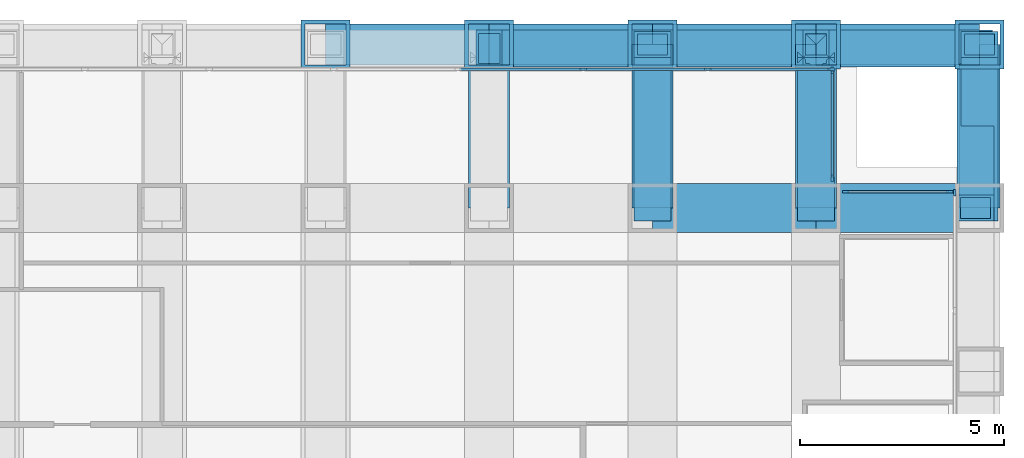
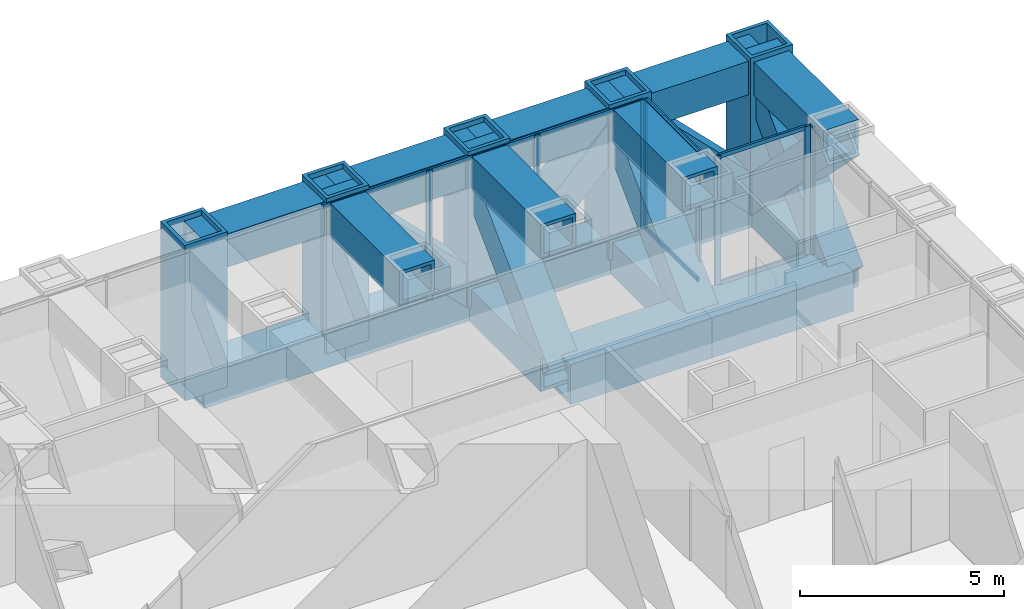
# One storey, part 10 of 18: 30 members, 17 beams, 4 elements without a shape of their own.
"""IFC4 building model written with IfcOpenShell, lengths in metres."""

from ifc_helpers import new_model, si_unit, direction, frame, origin, origin_2d, place, context, subcontext, project, spatial, rectangle, hollow_rectangle, extrude, material, material_profile, profile_set, type_object, element, aggregate, save


model = new_model("IFC4")

# Units and contexts
model_context = context("Model", 3, precision=1e-05, world=origin(), true_north=direction((0.0, 1.0)))
body_context = subcontext(model_context, "Body", "Model", "MODEL_VIEW")
ifc_project = project(units=[si_unit("LENGTHUNIT", "METRE"), si_unit("AREAUNIT", "SQUARE_METRE"), si_unit("VOLUMEUNIT", "CUBIC_METRE"), si_unit("PLANEANGLEUNIT", "RADIAN"), si_unit("MASSUNIT", "GRAM", prefix="KILO")], contexts=[model_context])

# Site, building, storey
site_placement = place(None, origin())
site = spatial("IfcSite", under=ifc_project, at=site_placement, CompositionType="ELEMENT")
building_placement = place(site_placement, origin())
building = spatial("IfcBuilding", under=site, at=building_placement, Name="Rimbunsela Tower", CompositionType="ELEMENT")
storey_placement = place(building_placement, frame((0.0, 0.0, 43.0)))
storey = spatial("IfcBuildingStorey", under=building, at=storey_placement, Name="L10", CompositionType="ELEMENT", Elevation=43.0)

# Beams
ifc_material_1 = material(Name="Steel BJ 55 (fy 410 MPa)", Category="steel")
ifc_material_profile_1 = material_profile(ifc_material_1, hollow_rectangle(XDim=1.199951171875, YDim=1.199951171875, WallThickness=0.125, at=origin_2d()), Name="BOX 1200x1200x125")
ifc_profile_set_1 = profile_set([ifc_material_profile_1], Name="Steel BJ 55 (fy 410 MPa)")
beam_type_1 = type_object("IfcBeamType", Name="Beam BOX 1200x1200x125", PredefinedType="BEAM", material=ifc_profile_set_1)
for number, where, z_axis, x_axis, name in (
    (1, (46.0, 44.0, -0.75), (1.0, 0.0, 0.0), (0.0, 1.0, 0.0), "Beam B4 L10"),
    (2, (50.0, 44.0, -0.75), (1.0, 0.0, 0.0), (0.0, 1.0, 0.0), "Beam B4 L10"),
):
    element("IfcBeam", number, at=place(storey_placement, frame(where, z_axis=z_axis, x_axis=x_axis)), inside=storey, type_object=beam_type_1, Name=name, PredefinedType="BEAM", context=body_context, shape_type="SweptSolid", body=[
        extrude(hollow_rectangle(XDim=1.199951171875, YDim=1.199951171875, WallThickness=0.125, at=origin_2d()), origin(), (0.0, 0.0, 1.0), 4.0),
    ])

# Curtain wall, member
ifc_material_2 = material(Name="Aluminium curtain wall", Category="aluminium")
curtain_wall_type_1 = type_object("IfcCurtainWallType", Name="Exoskeleton storey infill", PredefinedType="USERDEFINED", material=ifc_material_2)
curtain_wall_1_placement = place(storey_placement, origin())
curtain_wall_1 = element("IfcCurtainWall", 3, at=curtain_wall_1_placement, inside=storey, type_object=curtain_wall_type_1, Name="Exoskeleton storey infill L10", ObjectType="EXOSKELETON STOREY INFILL", PredefinedType="USERDEFINED")
ifc_material_3 = material(Name="Aluminium mullion", Category="aluminium")
ifc_material_profile_2 = material_profile(ifc_material_3, rectangle(XDim=0.06005859375, YDim=0.159912109375, at=origin_2d()), Name="Mullion 60x160")
ifc_profile_set_2 = profile_set([ifc_material_profile_2], Name="Aluminium mullion")
member_type_1 = type_object("IfcMemberType", Name="Curtain wall mullion 60x160", PredefinedType="MULLION", material=ifc_profile_set_2)
member_1_placement = place(storey_placement, frame((53.39990234375, 44.3701171875, 0.0), z_axis=(0.0, 0.0, 1.0), x_axis=(-1.0, 0.0, 0.0)))
member_1 = element("IfcMember", 4, at=member_1_placement, type_object=member_type_1, Name="CW2 mullion 15", PredefinedType="MULLION", context=body_context, shape_type="SweptSolid", body=[
    extrude(rectangle(XDim=0.06005859375, YDim=0.159912109375, at=origin_2d()), origin(), (0.0, 0.0, 1.0), 3.85009765625),
])
aggregate(curtain_wall_1, [member_1])

# Curtain wall, members
ifc_material_4 = material(Name="Aluminium curtain wall", Category="aluminium")
curtain_wall_type_2 = type_object("IfcCurtainWallType", Name="Corner glazing", PredefinedType="USERDEFINED", material=ifc_material_4)
curtain_wall_2_placement = place(storey_placement, origin())
curtain_wall_2 = element("IfcCurtainWall", 5, at=curtain_wall_2_placement, inside=storey, type_object=curtain_wall_type_2, Name="Corner glazing L10", ObjectType="CORNER GLAZING", PredefinedType="USERDEFINED")
member_2_placement = place(storey_placement, frame((53.27001953125, 44.39990234375, 0.0), z_axis=(0.0, 0.0, 1.0), x_axis=(0.0, -1.0, 0.0)))
member_2 = element("IfcMember", 6, at=member_2_placement, type_object=member_type_1, Name="CW5 mullion 1", PredefinedType="MULLION", context=body_context, shape_type="SweptSolid", body=[
    extrude(rectangle(XDim=0.06005859375, YDim=0.159912109375, at=origin_2d()), origin(), (0.0, 0.0, 1.0), 3.85009765625),
])
member_3_placement = place(storey_placement, frame((50.72998046875, 44.39990234375, 0.0), z_axis=(0.0, 0.0, 1.0), x_axis=(0.0, -1.0, 0.0)))
member_3 = element("IfcMember", 7, at=member_3_placement, type_object=member_type_1, Name="CW5 mullion 2", PredefinedType="MULLION", context=body_context, shape_type="SweptSolid", body=[
    extrude(rectangle(XDim=0.06005859375, YDim=0.159912109375, at=origin_2d()), origin(), (0.0, 0.0, 1.0), 3.85009765625),
])

ifc_material_5 = material(Name="Aluminium curtain wall", Category="aluminium")
curtain_wall_type_3 = type_object("IfcCurtainWallType", Name="Spandrel wall", PredefinedType="USERDEFINED", material=ifc_material_5)
curtain_wall_3_placement = place(storey_placement, origin())
curtain_wall_3 = element("IfcCurtainWall", 8, at=curtain_wall_3_placement, inside=storey, type_object=curtain_wall_type_3, Name="Spandrel wall L10", ObjectType="SPANDREL WALL", PredefinedType="USERDEFINED")
member_4_placement = place(storey_placement, frame((50.39990234375, 44.72998046875, 0.0), z_axis=(0.0, 0.0, 1.0), x_axis=(-1.0, 0.0, 0.0)))
member_4 = element("IfcMember", 9, at=member_4_placement, type_object=member_type_1, Name="CW7 mullion 1", PredefinedType="MULLION", context=body_context, shape_type="SweptSolid", body=[
    extrude(rectangle(XDim=0.06005859375, YDim=0.159912109375, at=origin_2d()), origin(), (0.0, 0.0, 1.0), 3.85009765625),
])
member_5_placement = place(storey_placement, frame((50.39990234375, 47.3701171875, 0.0), z_axis=(0.0, 0.0, 1.0), x_axis=(-1.0, 0.0, 0.0)))
member_5 = element("IfcMember", 10, at=member_5_placement, type_object=member_type_1, Name="CW7 mullion 2", PredefinedType="MULLION", context=body_context, shape_type="SweptSolid", body=[
    extrude(rectangle(XDim=0.06005859375, YDim=0.159912109375, at=origin_2d()), origin(), (0.0, 0.0, 1.0), 3.85009765625),
])

curtain_wall_4_placement = place(storey_placement, origin())
curtain_wall_4 = element("IfcCurtainWall", 11, at=curtain_wall_4_placement, inside=storey, type_object=curtain_wall_type_1, Name="Exoskeleton storey infill L10", ObjectType="EXOSKELETON STOREY INFILL", PredefinedType="USERDEFINED")
member_6_placement = place(storey_placement, frame((50.3701171875, 47.39990234375, 0.0), z_axis=(0.0, 0.0, 1.0), x_axis=(0.0, -1.0, 0.0)))
member_6 = element("IfcMember", 12, at=member_6_placement, type_object=member_type_1, Name="CW2 mullion 1", PredefinedType="MULLION", context=body_context, shape_type="SweptSolid", body=[
    extrude(rectangle(XDim=0.06005859375, YDim=0.159912109375, at=origin_2d()), origin(), (0.0, 0.0, 1.0), 3.85009765625),
])
member_7_placement = place(storey_placement, frame((47.35009765625, 47.39990234375, 0.0), z_axis=(0.0, 0.0, 1.0), x_axis=(0.0, -1.0, 0.0)))
member_7 = element("IfcMember", 13, at=member_7_placement, type_object=member_type_1, Name="CW2 mullion 2", PredefinedType="MULLION", context=body_context, shape_type="SweptSolid", body=[
    extrude(rectangle(XDim=0.06005859375, YDim=0.159912109375, at=origin_2d()), origin(), (0.0, 0.0, 1.0), 3.85009765625),
])
member_8_placement = place(storey_placement, frame((44.300048828125, 47.39990234375, 0.0), z_axis=(0.0, 0.0, 1.0), x_axis=(0.0, -1.0, 0.0)))
member_8 = element("IfcMember", 14, at=member_8_placement, type_object=member_type_1, Name="CW2 mullion 3", PredefinedType="MULLION", context=body_context, shape_type="SweptSolid", body=[
    extrude(rectangle(XDim=0.06005859375, YDim=0.159912109375, at=origin_2d()), origin(), (0.0, 0.0, 1.0), 3.85009765625),
])

# Member
ifc_material_6 = material(Name="Aluminium transom", Category="aluminium")
ifc_material_profile_3 = material_profile(ifc_material_6, rectangle(XDim=0.06005859375, YDim=0.1201171875, at=origin_2d()), Name="Transom 60x120")
ifc_profile_set_3 = profile_set([ifc_material_profile_3], Name="Aluminium transom")
member_type_2 = type_object("IfcMemberType", Name="Curtain wall transom 60x120", PredefinedType="USERDEFINED", material=ifc_profile_set_3)
member_9_placement = place(storey_placement, frame((53.239990234375, 44.39990234375, 0.030029296875), z_axis=(-1.0, 0.0, 0.0), x_axis=(0.0, -1.0, 0.0)))
member_9 = element("IfcMember", 15, at=member_9_placement, type_object=member_type_2, Name="CW5 transom 1.1", ObjectType="TRANSOM", PredefinedType="USERDEFINED", context=body_context, shape_type="SweptSolid", body=[
    extrude(rectangle(XDim=0.06005859375, YDim=0.1201171875, at=origin_2d()), origin(), (0.0, 0.0, 1.0), 2.47998046875),
])

member_10_placement = place(storey_placement, frame((53.239990234375, 44.39990234375, 3.820068359375), z_axis=(-1.0, 0.0, 0.0), x_axis=(0.0, -1.0, 0.0)))
member_10 = element("IfcMember", 16, at=member_10_placement, type_object=member_type_2, Name="CW5 transom 1.2", ObjectType="TRANSOM", PredefinedType="USERDEFINED", context=body_context, shape_type="SweptSolid", body=[
    extrude(rectangle(XDim=0.06005859375, YDim=0.1201171875, at=origin_2d()), origin(), (0.0, 0.0, 1.0), 2.47998046875),
])

aggregate(curtain_wall_2, [member_2, member_3, member_9, member_10])

member_11_placement = place(storey_placement, frame((50.39990234375, 44.760009765625, 0.030029296875), z_axis=(0.0, 1.0, 0.0), x_axis=(-1.0, 0.0, 0.0)))
member_11 = element("IfcMember", 17, at=member_11_placement, type_object=member_type_2, Name="CW7 transom 1.1", ObjectType="TRANSOM", PredefinedType="USERDEFINED", context=body_context, shape_type="SweptSolid", body=[
    extrude(rectangle(XDim=0.06005859375, YDim=0.1201171875, at=origin_2d()), origin(), (0.0, 0.0, 1.0), 2.580078125),
])

member_12_placement = place(storey_placement, frame((50.39990234375, 44.760009765625, 3.820068359375), z_axis=(0.0, 1.0, 0.0), x_axis=(-1.0, 0.0, 0.0)))
member_12 = element("IfcMember", 18, at=member_12_placement, type_object=member_type_2, Name="CW7 transom 1.2", ObjectType="TRANSOM", PredefinedType="USERDEFINED", context=body_context, shape_type="SweptSolid", body=[
    extrude(rectangle(XDim=0.06005859375, YDim=0.1201171875, at=origin_2d()), origin(), (0.0, 0.0, 1.0), 2.580078125),
])

aggregate(curtain_wall_3, [member_4, member_5, member_11, member_12])

member_13_placement = place(storey_placement, frame((50.340087890625, 47.39990234375, 0.030029296875), z_axis=(-1.0, 0.0, 0.0), x_axis=(0.0, -1.0, 0.0)))
member_13 = element("IfcMember", 19, at=member_13_placement, type_object=member_type_2, Name="CW2 transom 1.1", ObjectType="TRANSOM", PredefinedType="USERDEFINED", context=body_context, shape_type="SweptSolid", body=[
    extrude(rectangle(XDim=0.06005859375, YDim=0.1201171875, at=origin_2d()), origin(), (0.0, 0.0, 1.0), 2.960205078125),
])

member_14_placement = place(storey_placement, frame((50.340087890625, 47.39990234375, 3.820068359375), z_axis=(-1.0, 0.0, 0.0), x_axis=(0.0, -1.0, 0.0)))
member_14 = element("IfcMember", 20, at=member_14_placement, type_object=member_type_2, Name="CW2 transom 1.2", ObjectType="TRANSOM", PredefinedType="USERDEFINED", context=body_context, shape_type="SweptSolid", body=[
    extrude(rectangle(XDim=0.06005859375, YDim=0.1201171875, at=origin_2d()), origin(), (0.0, 0.0, 1.0), 2.960205078125),
])

member_15_placement = place(storey_placement, frame((47.320068359375, 47.39990234375, 0.030029296875), z_axis=(-1.0, 0.0, 0.0), x_axis=(0.0, -1.0, 0.0)))
member_15 = element("IfcMember", 21, at=member_15_placement, type_object=member_type_2, Name="CW2 transom 2.1", ObjectType="TRANSOM", PredefinedType="USERDEFINED", context=body_context, shape_type="SweptSolid", body=[
    extrude(rectangle(XDim=0.06005859375, YDim=0.1201171875, at=origin_2d()), origin(), (0.0, 0.0, 1.0), 2.989990234375),
])

member_16_placement = place(storey_placement, frame((47.320068359375, 47.39990234375, 3.820068359375), z_axis=(-1.0, 0.0, 0.0), x_axis=(0.0, -1.0, 0.0)))
member_16 = element("IfcMember", 22, at=member_16_placement, type_object=member_type_2, Name="CW2 transom 2.2", ObjectType="TRANSOM", PredefinedType="USERDEFINED", context=body_context, shape_type="SweptSolid", body=[
    extrude(rectangle(XDim=0.06005859375, YDim=0.1201171875, at=origin_2d()), origin(), (0.0, 0.0, 1.0), 2.989990234375),
])

member_17_placement = place(storey_placement, frame((44.27001953125, 47.39990234375, 0.030029296875), z_axis=(-1.0, 0.0, 0.0), x_axis=(0.0, -1.0, 0.0)))
member_17 = element("IfcMember", 23, at=member_17_placement, type_object=member_type_2, Name="CW2 transom 3.1", ObjectType="TRANSOM", PredefinedType="USERDEFINED", context=body_context, shape_type="SweptSolid", body=[
    extrude(rectangle(XDim=0.06005859375, YDim=0.1201171875, at=origin_2d()), origin(), (0.0, 0.0, 1.0), 2.989990234375),
])

member_18_placement = place(storey_placement, frame((44.27001953125, 47.39990234375, 3.820068359375), z_axis=(-1.0, 0.0, 0.0), x_axis=(0.0, -1.0, 0.0)))
member_18 = element("IfcMember", 24, at=member_18_placement, type_object=member_type_2, Name="CW2 transom 3.2", ObjectType="TRANSOM", PredefinedType="USERDEFINED", context=body_context, shape_type="SweptSolid", body=[
    extrude(rectangle(XDim=0.06005859375, YDim=0.1201171875, at=origin_2d()), origin(), (0.0, 0.0, 1.0), 2.989990234375),
])

aggregate(curtain_wall_4, [member_6, member_7, member_8, member_13, member_14, member_15, member_16, member_17, member_18])

# Beams
ifc_material_7 = material(Name="Steel BJ 55 (fy 410 MPa)", Category="steel")
ifc_material_profile_4 = material_profile(ifc_material_7, hollow_rectangle(XDim=1.0, YDim=1.0, WallThickness=0.10009765625, at=origin_2d()), Name="BOX 1000x1000x100")
ifc_profile_set_4 = profile_set([ifc_material_profile_4], Name="Steel BJ 55 (fy 410 MPa)")
beam_type_2 = type_object("IfcBeamType", Name="Truss chord BOX 1000x1000x100", PredefinedType="USERDEFINED", material=ifc_profile_set_4)
for number, where, z_axis, x_axis, name in (
    (25, (38.0, 48.0, 3.35009765625), (1.0, 0.0, 0.0), (0.0, 1.0, 0.0), "Truss top chord TC1 N face L10"),
    (26, (42.0, 48.0, 3.35009765625), (1.0, 0.0, 0.0), (0.0, 1.0, 0.0), "Truss top chord TC1 N face L10"),
    (27, (46.0, 48.0, 3.35009765625), (1.0, 0.0, 0.0), (0.0, 1.0, 0.0), "Truss top chord TC1 N face L10"),
    (28, (50.0, 48.0, 3.35009765625), (1.0, 0.0, 0.0), (0.0, 1.0, 0.0), "Truss top chord TC1 N face L10"),
    (29, (54.0, 44.0, 3.35009765625), (0.0, 1.0, 0.0), (-1.0, 0.0, 0.0), "Truss top chord TC1 E face L10"),
    (30, (54.0, 44.0, -0.64990234375), (0.0, 1.0, 0.0), (-1.0, 0.0, 0.0), "Truss bottom chord TC1 E face L10"),
    (31, (42.0, 44.0, 3.35009765625), (0.0, 1.0, 0.0), (-1.0, 0.0, 0.0), "Cantilever truss top chord TC1 13/P L10"),
    (32, (46.0, 44.0, -0.64990234375), (0.0, 1.0, 0.0), (-1.0, 0.0, 0.0), "Cantilever truss bottom chord TC1 14/P L10"),
    (33, (46.0, 44.0, 3.35009765625), (0.0, 1.0, 0.0), (-1.0, 0.0, 0.0), "Cantilever truss top chord TC1 14/P L10"),
    (34, (50.0, 44.0, -0.64990234375), (0.0, 1.0, 0.0), (-1.0, 0.0, 0.0), "Cantilever truss bottom chord TC1 15/P L10"),
    (35, (50.0, 44.0, 3.35009765625), (0.0, 1.0, 0.0), (-1.0, 0.0, 0.0), "Cantilever truss top chord TC1 15/P L10"),
    (36, (38.0, 48.0, -0.64990234375), (1.0, 0.0, 0.0), (0.0, 1.0, 0.0), "Truss bottom chord TC1 N face L10"),
    (37, (42.0, 48.0, -0.64990234375), (1.0, 0.0, 0.0), (0.0, 1.0, 0.0), "Truss bottom chord TC1 N face L10"),
    (38, (46.0, 48.0, -0.64990234375), (1.0, 0.0, 0.0), (0.0, 1.0, 0.0), "Truss bottom chord TC1 N face L10"),
    (39, (50.0, 48.0, -0.64990234375), (1.0, 0.0, 0.0), (0.0, 1.0, 0.0), "Truss bottom chord TC1 N face L10"),
):
    element("IfcBeam", number, at=place(storey_placement, frame(where, z_axis=z_axis, x_axis=x_axis)), inside=storey, type_object=beam_type_2, Name=name, ObjectType="TRUSS CHORD", PredefinedType="USERDEFINED", context=body_context, shape_type="SweptSolid", body=[
        extrude(hollow_rectangle(XDim=1.0, YDim=1.0, WallThickness=0.10009765625, at=origin_2d()), origin(), (0.0, 0.0, 1.0), 4.0),
    ])

# Members
ifc_material_8 = material(Name="Steel BJ 55 (fy 410 MPa)", Category="steel")
ifc_material_profile_5 = material_profile(ifc_material_8, hollow_rectangle(XDim=0.89990234375, YDim=0.89990234375, WallThickness=0.080078125, at=origin_2d()), Name="BOX 900x900x80")
ifc_profile_set_5 = profile_set([ifc_material_profile_5], Name="Steel BJ 55 (fy 410 MPa)")
member_type_3 = type_object("IfcMemberType", Name="Truss diagonal BOX 900x900x80", PredefinedType="BRACE", material=ifc_profile_set_5)
for number, where, z_axis, x_axis, name in (
    (40, (42.0, 47.89990234375, 3.35009765625), (0.707106781187, 0.0, -0.707106781187), (0.0, 1.0, 0.0), "Truss diagonal TD1 N face L10"),
    (41, (46.0, 47.89990234375, -0.64990234375), (0.707106781187, 0.0, 0.707106781187), (0.0, 1.0, 0.0), "Truss diagonal TD1 N face L10"),
    (42, (50.0, 47.89990234375, 3.35009765625), (0.707106781187, 0.0, -0.707106781187), (0.0, 1.0, 0.0), "Truss diagonal TD1 N face L10"),
    (43, (53.89990234375, 44.0, 3.35009765625), (0.0, 0.707106781187, -0.707106781187), (-1.0, 0.0, 0.0), "Truss diagonal TD1 E face L10"),
    (44, (46.0, 44.0, -0.64990234375), (0.0, 0.707106781187, 0.707106781187), (-1.0, 0.0, 0.0), "Cantilever truss diagonal TD1 14/P L10"),
    (45, (50.0, 44.0, -0.64990234375), (0.0, 0.707106781187, 0.707106781187), (-1.0, 0.0, 0.0), "Cantilever truss diagonal TD1 15/P L10"),
    (46, (54.0, 44.0, -0.64990234375), (0.0, 0.707106781187, 0.707106781187), (-1.0, 0.0, 0.0), "Cantilever truss diagonal TD1 16/P L10"),
):
    element("IfcMember", number, at=place(storey_placement, frame(where, z_axis=z_axis, x_axis=x_axis)), inside=storey, type_object=member_type_3, Name=name, PredefinedType="BRACE", context=body_context, shape_type="SweptSolid", body=[
        extrude(hollow_rectangle(XDim=0.89990234375, YDim=0.89990234375, WallThickness=0.080078125, at=origin_2d()), origin(), (0.0, 0.0, 1.0), 5.65673828125),
    ])
ifc_material_9 = material(Name="Steel BJ 55 (fy 410 MPa)", Category="steel")
ifc_material_profile_6 = material_profile(ifc_material_9, hollow_rectangle(XDim=1.199951171875, YDim=1.199951171875, WallThickness=0.10009765625, at=origin_2d()), Name="BOX 1200x1200x100")
ifc_profile_set_6 = profile_set([ifc_material_profile_6], Name="Steel BJ 55 (fy 410 MPa)")
member_type_4 = type_object("IfcMemberType", Name="Truss post BOX 1200x1200x100", PredefinedType="POST", material=ifc_profile_set_6)
for number, where, z_axis, x_axis, name in (
    (47, (38.0, 48.0, -0.64990234375), (0.0, 0.0, 1.0), (1.0, 0.0, 0.0), "Truss post TP1 12/P L10"),
    (48, (42.0, 48.0, -0.64990234375), (0.0, 0.0, 1.0), (1.0, 0.0, 0.0), "Truss post TP1 13/P L10"),
    (49, (46.0, 48.0, -0.64990234375), (0.0, 0.0, 1.0), (1.0, 0.0, 0.0), "Truss post TP1 14/P L10"),
    (50, (50.0, 48.0, -0.64990234375), (0.0, 0.0, 1.0), (1.0, 0.0, 0.0), "Truss post TP1 15/P L10"),
    (51, (54.0, 48.0, -0.64990234375), (0.0, 0.0, 1.0), (1.0, 0.0, 0.0), "Truss post TP1 16/P L10"),
):
    element("IfcMember", number, at=place(storey_placement, frame(where, z_axis=z_axis, x_axis=x_axis)), inside=storey, type_object=member_type_4, Name=name, PredefinedType="POST", context=body_context, shape_type="SweptSolid", body=[
        extrude(hollow_rectangle(XDim=1.199951171875, YDim=1.199951171875, WallThickness=0.10009765625, at=origin_2d()), origin(), (0.0, 0.0, 1.0), 4.64990234375),
    ])

save(model, "model.ifc")
